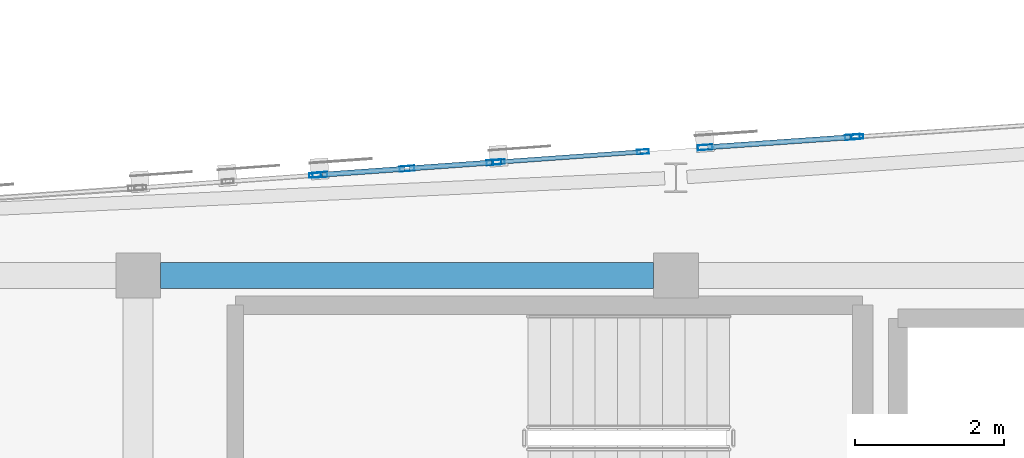
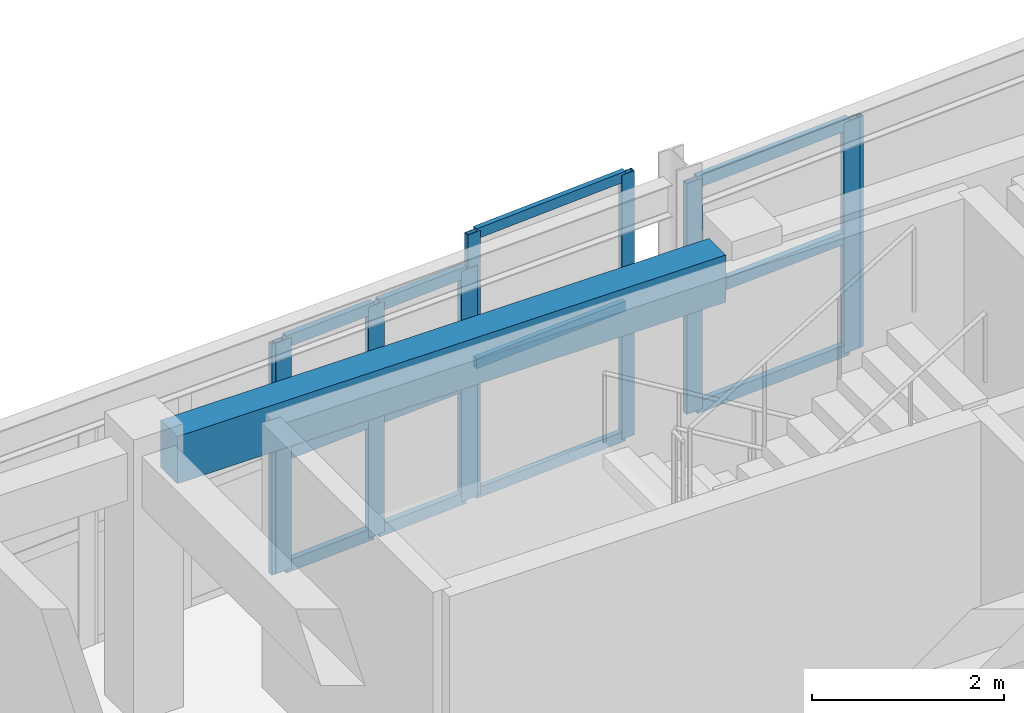
# One storey, part 9 of 51: 21 members, 1 beam, 5 elements without a shape of their own.
"""IFC4 building model written with IfcOpenShell, lengths in metres."""

from ifc_helpers import new_model, si_unit, direction, frame, origin, origin_2d, place, context, subcontext, project, spatial, rectangle, hollow_rectangle, extrude, material, layer, layer_set, material_profile, profile_set, type_object, element, aggregate, save


model = new_model("IFC4")

# Units and contexts
model_context = context("Model", 3, precision=1e-05, world=origin(), true_north=direction((0.0, 1.0)))
body_context = subcontext(model_context, "Body", "Model", "MODEL_VIEW")
ifc_project = project(units=[si_unit("LENGTHUNIT", "METRE"), si_unit("AREAUNIT", "SQUARE_METRE"), si_unit("VOLUMEUNIT", "CUBIC_METRE"), si_unit("PLANEANGLEUNIT", "RADIAN"), si_unit("MASSUNIT", "GRAM", prefix="KILO")], contexts=[model_context])

# Site, building, storey
site_placement = place(None, origin())
site = spatial("IfcSite", under=ifc_project, at=site_placement, CompositionType="ELEMENT")
building_placement = place(site_placement, origin())
building = spatial("IfcBuilding", under=site, at=building_placement, Name="Carrowvane Square Congress Hotel", CompositionType="ELEMENT")
storey_placement = place(building_placement, frame((0.0, 0.0, 30.0)))
storey = spatial("IfcBuildingStorey", under=building, at=storey_placement, Name="L07", CompositionType="ELEMENT", Elevation=30.0)

# Beam
ifc_material_1 = material(Name="Concrete C35/45", Category="concrete")
ifc_material_profile_1 = material_profile(ifc_material_1, rectangle(XDim=0.35009765625, YDim=0.60009765625, at=origin_2d()), Name="RC 350x600")
ifc_profile_set_1 = profile_set([ifc_material_profile_1], Name="Concrete C35/45")
beam_type = type_object("IfcBeamType", Name="BM-RC-350x600", PredefinedType="BEAM", material=ifc_profile_set_1)
beam_placement = place(storey_placement, frame((55.10009765625, 113.39990234375, 3.06005859375), z_axis=(1.0, 0.0, 0.0), x_axis=(0.0, 1.0, 0.0)))
element("IfcBeam", 1, at=beam_placement, inside=storey, type_object=beam_type, Name="L08 girder R/7-8", PredefinedType="BEAM", context=body_context, shape_type="SweptSolid", body=[
    extrude(rectangle(XDim=0.35009765625, YDim=0.60009765625, at=origin_2d()), origin(), (0.0, 0.0, 1.0), 6.599853515625),
])

# Curtain wall, member
ifc_material_2 = material(Name="Anodised aluminium", Category="aluminium")
ifc_layer_1 = layer(ifc_material_2, 0.23388671875)
ifc_layer_set_1 = layer_set([ifc_layer_1], Name="Anodised aluminium")
curtain_wall_type_1 = type_object("IfcCurtainWallType", Name="CW-SYS-7", PredefinedType="NOTDEFINED", material=ifc_layer_set_1)
curtain_wall_1_placement = place(storey_placement, origin())
curtain_wall_1 = element("IfcCurtainWall", 2, at=curtain_wall_1_placement, inside=storey, type_object=curtain_wall_type_1, Name="L07 unitised curtain wall 414", PredefinedType="NOTDEFINED")
ifc_material_3 = material(Name="Anodised aluminium", Category="aluminium")
ifc_material_profile_2 = material_profile(ifc_material_3, hollow_rectangle(XDim=0.06005859375, YDim=0.159912109375, WallThickness=0.00390625, at=origin_2d()), Name="CW-ML 60x160x4")
ifc_profile_set_2 = profile_set([ifc_material_profile_2], Name="Anodised aluminium")
member_type_1 = type_object("IfcMemberType", Name="CW-MUL-1", PredefinedType="MULLION", material=ifc_profile_set_2)
member_1_placement = place(storey_placement, frame((57.169921875, 114.740966796875, 0.0), z_axis=(0.0, 0.0, 1.0), x_axis=(-0.071418356042, 0.997446448898, 0.0)))
member_1 = element("IfcMember", 3, at=member_1_placement, type_object=member_type_1, Name="CW-7 mullion 3", PredefinedType="MULLION", context=body_context, shape_type="SweptSolid", body=[
    extrude(hollow_rectangle(XDim=0.06005859375, YDim=0.159912109375, WallThickness=0.00390625, at=origin_2d()), origin(), (0.0, 0.0, 1.0), 2.935546875),
])
aggregate(curtain_wall_1, [member_1])

# Curtain wall, members
ifc_material_4 = material(Name="Anodised aluminium", Category="aluminium")
ifc_layer_2 = layer(ifc_material_4, 0.162109375)
ifc_layer_set_2 = layer_set([ifc_layer_2], Name="Anodised aluminium")
curtain_wall_type_2 = type_object("IfcCurtainWallType", Name="CW-SYS-1", PredefinedType="NOTDEFINED", material=ifc_layer_set_2)
curtain_wall_2_placement = place(storey_placement, origin())
curtain_wall_2 = element("IfcCurtainWall", 4, at=curtain_wall_2_placement, inside=storey, type_object=curtain_wall_type_2, Name="L07 unitised curtain wall 416", PredefinedType="NOTDEFINED")
member_2_placement = place(storey_placement, frame((59.6298828125, 114.91748046875, 0.0), z_axis=(0.0, 0.0, 1.0), x_axis=(-0.070960217342, 0.997479146426, 0.0)))
member_2 = element("IfcMember", 5, at=member_2_placement, type_object=member_type_1, Name="CW-1 mullion 1", PredefinedType="MULLION", context=body_context, shape_type="SweptSolid", body=[
    extrude(hollow_rectangle(XDim=0.06005859375, YDim=0.159912109375, WallThickness=0.00390625, at=origin_2d()), origin(), (0.0, 0.0, 1.0), 3.360107421875),
])
member_3_placement = place(storey_placement, frame((61.5595703125, 115.0546875, 0.0), z_axis=(0.0, 0.0, 1.0), x_axis=(-0.070960217342, 0.997479146426, 0.0)))
member_3 = element("IfcMember", 6, at=member_3_placement, type_object=member_type_1, Name="CW-1 mullion 2", PredefinedType="MULLION", context=body_context, shape_type="SweptSolid", body=[
    extrude(hollow_rectangle(XDim=0.06005859375, YDim=0.159912109375, WallThickness=0.00390625, at=origin_2d()), origin(), (0.0, 0.0, 1.0), 3.360107421875),
])

# Curtain wall, member
ifc_material_5 = material(Name="Anodised aluminium", Category="aluminium")
ifc_layer_3 = layer(ifc_material_5, 0.18603515625)
ifc_layer_set_3 = layer_set([ifc_layer_3], Name="Anodised aluminium")
curtain_wall_type_3 = type_object("IfcCurtainWallType", Name="CW-SYS-3", PredefinedType="NOTDEFINED", material=ifc_layer_set_3)
curtain_wall_3_placement = place(storey_placement, origin())
curtain_wall_3 = element("IfcCurtainWall", 7, at=curtain_wall_3_placement, inside=storey, type_object=curtain_wall_type_3, Name="L07 unitised curtain wall 418", PredefinedType="NOTDEFINED")
member_4_placement = place(storey_placement, frame((64.429931640625, 115.255859375, 0.0), z_axis=(0.0, 0.0, 1.0), x_axis=(-0.067865424104, 0.997694484404, 0.0)))
member_4 = element("IfcMember", 8, at=member_4_placement, type_object=member_type_1, Name="CW-3 mullion 1", PredefinedType="MULLION", context=body_context, shape_type="SweptSolid", body=[
    extrude(hollow_rectangle(XDim=0.06005859375, YDim=0.159912109375, WallThickness=0.00390625, at=origin_2d()), origin(), (0.0, 0.0, 1.0), 2.935546875),
])
aggregate(curtain_wall_3, [member_4])

# Curtain wall, members
ifc_material_6 = material(Name="Anodised aluminium", Category="aluminium")
ifc_layer_4 = layer(ifc_material_6, 0.24609375)
ifc_layer_set_4 = layer_set([ifc_layer_4], Name="Anodised aluminium")
curtain_wall_type_4 = type_object("IfcCurtainWallType", Name="CW-SYS-8", PredefinedType="NOTDEFINED", material=ifc_layer_set_4)
curtain_wall_4_placement = place(storey_placement, origin())
curtain_wall_4 = element("IfcCurtainWall", 9, at=curtain_wall_4_placement, inside=storey, type_object=curtain_wall_type_4, Name="L07 unitised curtain wall 415", PredefinedType="NOTDEFINED")
ifc_material_7 = material(Name="Anodised aluminium", Category="aluminium")
ifc_material_profile_3 = material_profile(ifc_material_7, hollow_rectangle(XDim=0.070068359375, YDim=0.199951171875, WallThickness=0.0048828125, at=origin_2d()), Name="CW-ML 70x200x5")
ifc_profile_set_3 = profile_set([ifc_material_profile_3], Name="Anodised aluminium")
member_type_2 = type_object("IfcMemberType", Name="CW-MUL-2", PredefinedType="MULLION", material=ifc_profile_set_3)
member_5_placement = place(storey_placement, frame((57.23486328125, 114.74560546875, 0.0), z_axis=(0.0, 0.0, 1.0), x_axis=(-0.071531759512, 0.997438322595, 0.0)))
member_5 = element("IfcMember", 10, at=member_5_placement, type_object=member_type_2, Name="CW-8 mullion 1", PredefinedType="MULLION", context=body_context, shape_type="SweptSolid", body=[
    extrude(hollow_rectangle(XDim=0.070068359375, YDim=0.199951171875, WallThickness=0.0048828125, at=origin_2d()), origin(), (0.0, 0.0, 1.0), 2.935546875),
])
member_6_placement = place(storey_placement, frame((58.39990234375, 114.8291015625, 0.0), z_axis=(0.0, 0.0, 1.0), x_axis=(-0.071531759512, 0.997438322595, 0.0)))
member_6 = element("IfcMember", 11, at=member_6_placement, type_object=member_type_2, Name="CW-8 mullion 2", PredefinedType="MULLION", context=body_context, shape_type="SweptSolid", body=[
    extrude(hollow_rectangle(XDim=0.070068359375, YDim=0.199951171875, WallThickness=0.0048828125, at=origin_2d()), origin(), (0.0, 0.0, 1.0), 2.935546875),
])
member_7_placement = place(storey_placement, frame((59.565185546875, 114.912841796875, 0.0), z_axis=(0.0, 0.0, 1.0), x_axis=(-0.071531759512, 0.997438322595, 0.0)))
member_7 = element("IfcMember", 12, at=member_7_placement, type_object=member_type_2, Name="CW-8 mullion 3", PredefinedType="MULLION", context=body_context, shape_type="SweptSolid", body=[
    extrude(hollow_rectangle(XDim=0.070068359375, YDim=0.199951171875, WallThickness=0.0048828125, at=origin_2d()), origin(), (0.0, 0.0, 1.0), 2.935546875),
])

ifc_material_8 = material(Name="Anodised aluminium", Category="aluminium")
ifc_layer_5 = layer(ifc_material_8, 0.174072265625)
ifc_layer_set_5 = layer_set([ifc_layer_5], Name="Anodised aluminium")
curtain_wall_type_5 = type_object("IfcCurtainWallType", Name="CW-SYS-2", PredefinedType="NOTDEFINED", material=ifc_layer_set_5)
curtain_wall_5_placement = place(storey_placement, origin())
curtain_wall_5 = element("IfcCurtainWall", 13, at=curtain_wall_5_placement, inside=storey, type_object=curtain_wall_type_5, Name="L07 unitised curtain wall 417", PredefinedType="NOTDEFINED")
member_8_placement = place(storey_placement, frame((62.39208984375, 115.11328125, 0.0), z_axis=(0.0, 0.0, 1.0), x_axis=(-0.069723822092, 0.997566332949, 0.0)))
member_8 = element("IfcMember", 14, at=member_8_placement, type_object=member_type_2, Name="CW-2 mullion 1", PredefinedType="MULLION", context=body_context, shape_type="SweptSolid", body=[
    extrude(hollow_rectangle(XDim=0.070068359375, YDim=0.199951171875, WallThickness=0.0048828125, at=origin_2d()), origin(), (0.0, 0.0, 1.0), 2.935546875),
])
member_9_placement = place(storey_placement, frame((64.365234375, 115.251220703125, 0.0), z_axis=(0.0, 0.0, 1.0), x_axis=(-0.069723822092, 0.997566332949, 0.0)))
member_9 = element("IfcMember", 15, at=member_9_placement, type_object=member_type_2, Name="CW-2 mullion 2", PredefinedType="MULLION", context=body_context, shape_type="SweptSolid", body=[
    extrude(hollow_rectangle(XDim=0.070068359375, YDim=0.199951171875, WallThickness=0.0048828125, at=origin_2d()), origin(), (0.0, 0.0, 1.0), 2.935546875),
])

# Member
ifc_material_9 = material(Name="Anodised aluminium", Category="aluminium")
ifc_material_profile_4 = material_profile(ifc_material_9, hollow_rectangle(XDim=0.06005859375, YDim=0.1298828125, WallThickness=0.00390625, at=origin_2d()), Name="CW-TR 60x130x4")
ifc_profile_set_4 = profile_set([ifc_material_profile_4], Name="Anodised aluminium")
member_type_3 = type_object("IfcMemberType", Name="CW-TRN-1", PredefinedType="USERDEFINED", material=ifc_profile_set_4)
member_10_placement = place(storey_placement, frame((59.659912109375, 114.91943359375, 0.030029296875), z_axis=(0.997477179268, 0.070987864025, 0.0), x_axis=(-0.070987864025, 0.997477179268, 0.0)))
member_10 = element("IfcMember", 16, at=member_10_placement, type_object=member_type_3, Name="CW-1 transom 1.1", ObjectType="TRANSOM", PredefinedType="USERDEFINED", context=body_context, shape_type="SweptSolid", body=[
    extrude(hollow_rectangle(XDim=0.06005859375, YDim=0.1298828125, WallThickness=0.00390625, at=origin_2d()), origin(), (0.0, 0.0, 1.0), 1.874267578125),
])

member_11_placement = place(storey_placement, frame((59.659912109375, 114.91943359375, 1.679931640625), z_axis=(0.997477179268, 0.070987864025, 0.0), x_axis=(-0.070987864025, 0.997477179268, 0.0)))
member_11 = element("IfcMember", 17, at=member_11_placement, type_object=member_type_3, Name="CW-1 transom 1.2", ObjectType="TRANSOM", PredefinedType="USERDEFINED", context=body_context, shape_type="SweptSolid", body=[
    extrude(hollow_rectangle(XDim=0.06005859375, YDim=0.1298828125, WallThickness=0.00390625, at=origin_2d()), origin(), (0.0, 0.0, 1.0), 1.874267578125),
])

member_12_placement = place(storey_placement, frame((59.659912109375, 114.91943359375, 3.330078125), z_axis=(0.997477179268, 0.070987864025, 0.0), x_axis=(-0.070987864025, 0.997477179268, 0.0)))
member_12 = element("IfcMember", 18, at=member_12_placement, type_object=member_type_3, Name="CW-1 transom 1.3", ObjectType="TRANSOM", PredefinedType="USERDEFINED", context=body_context, shape_type="SweptSolid", body=[
    extrude(hollow_rectangle(XDim=0.06005859375, YDim=0.1298828125, WallThickness=0.00390625, at=origin_2d()), origin(), (0.0, 0.0, 1.0), 1.874267578125),
])

aggregate(curtain_wall_2, [member_2, member_3, member_10, member_11, member_12])

ifc_material_10 = material(Name="Anodised aluminium", Category="aluminium")
ifc_material_profile_5 = material_profile(ifc_material_10, hollow_rectangle(XDim=0.070068359375, YDim=0.14990234375, WallThickness=0.0048828125, at=origin_2d()), Name="CW-TR 70x150x5")
ifc_profile_set_5 = profile_set([ifc_material_profile_5], Name="Anodised aluminium")
member_type_4 = type_object("IfcMemberType", Name="CW-TRN-2", PredefinedType="USERDEFINED", material=ifc_profile_set_5)
member_13_placement = place(storey_placement, frame((57.269775390625, 114.748046875, 0.034912109375), z_axis=(0.997433808996, 0.071594669304, 0.0), x_axis=(-0.071594669304, 0.997433808996, 0.0)))
member_13 = element("IfcMember", 19, at=member_13_placement, type_object=member_type_4, Name="CW-8 transom 1.1", ObjectType="TRANSOM", PredefinedType="USERDEFINED", context=body_context, shape_type="SweptSolid", body=[
    extrude(hollow_rectangle(XDim=0.070068359375, YDim=0.14990234375, WallThickness=0.0048828125, at=origin_2d()), origin(), (0.0, 0.0, 1.0), 1.09814453125),
])

member_14_placement = place(storey_placement, frame((57.269775390625, 114.748046875, 1.4677734375), z_axis=(0.997433808996, 0.071594669304, 0.0), x_axis=(-0.071594669304, 0.997433808996, 0.0)))
member_14 = element("IfcMember", 20, at=member_14_placement, type_object=member_type_4, Name="CW-8 transom 1.2", ObjectType="TRANSOM", PredefinedType="USERDEFINED", context=body_context, shape_type="SweptSolid", body=[
    extrude(hollow_rectangle(XDim=0.070068359375, YDim=0.14990234375, WallThickness=0.0048828125, at=origin_2d()), origin(), (0.0, 0.0, 1.0), 1.09814453125),
])

member_15_placement = place(storey_placement, frame((57.269775390625, 114.748046875, 2.900634765625), z_axis=(0.997433808996, 0.071594669304, 0.0), x_axis=(-0.071594669304, 0.997433808996, 0.0)))
member_15 = element("IfcMember", 21, at=member_15_placement, type_object=member_type_4, Name="CW-8 transom 1.3", ObjectType="TRANSOM", PredefinedType="USERDEFINED", context=body_context, shape_type="SweptSolid", body=[
    extrude(hollow_rectangle(XDim=0.070068359375, YDim=0.14990234375, WallThickness=0.0048828125, at=origin_2d()), origin(), (0.0, 0.0, 1.0), 1.09814453125),
])

member_16_placement = place(storey_placement, frame((58.434814453125, 114.831787109375, 0.034912109375), z_axis=(0.99745079479, 0.071357634305, 0.0), x_axis=(-0.071357634305, 0.99745079479, 0.0)))
member_16 = element("IfcMember", 22, at=member_16_placement, type_object=member_type_4, Name="CW-8 transom 2.1", ObjectType="TRANSOM", PredefinedType="USERDEFINED", context=body_context, shape_type="SweptSolid", body=[
    extrude(hollow_rectangle(XDim=0.070068359375, YDim=0.14990234375, WallThickness=0.0048828125, at=origin_2d()), origin(), (0.0, 0.0, 1.0), 1.09814453125),
])

member_17_placement = place(storey_placement, frame((58.434814453125, 114.831787109375, 1.4677734375), z_axis=(0.99745079479, 0.071357634305, 0.0), x_axis=(-0.071357634305, 0.99745079479, 0.0)))
member_17 = element("IfcMember", 23, at=member_17_placement, type_object=member_type_4, Name="CW-8 transom 2.2", ObjectType="TRANSOM", PredefinedType="USERDEFINED", context=body_context, shape_type="SweptSolid", body=[
    extrude(hollow_rectangle(XDim=0.070068359375, YDim=0.14990234375, WallThickness=0.0048828125, at=origin_2d()), origin(), (0.0, 0.0, 1.0), 1.09814453125),
])

member_18_placement = place(storey_placement, frame((58.434814453125, 114.831787109375, 2.900634765625), z_axis=(0.99745079479, 0.071357634305, 0.0), x_axis=(-0.071357634305, 0.99745079479, 0.0)))
member_18 = element("IfcMember", 24, at=member_18_placement, type_object=member_type_4, Name="CW-8 transom 2.3", ObjectType="TRANSOM", PredefinedType="USERDEFINED", context=body_context, shape_type="SweptSolid", body=[
    extrude(hollow_rectangle(XDim=0.070068359375, YDim=0.14990234375, WallThickness=0.0048828125, at=origin_2d()), origin(), (0.0, 0.0, 1.0), 1.09814453125),
])

aggregate(curtain_wall_4, [member_5, member_6, member_7, member_13, member_14, member_15, member_16, member_17, member_18])

member_19_placement = place(storey_placement, frame((62.427001953125, 115.11572265625, 0.034912109375), z_axis=(0.997565380596, 0.069737446437, 0.0), x_axis=(-0.069737446437, 0.997565380596, 0.0)))
member_19 = element("IfcMember", 25, at=member_19_placement, type_object=member_type_4, Name="CW-2 transom 1.1", ObjectType="TRANSOM", PredefinedType="USERDEFINED", context=body_context, shape_type="SweptSolid", body=[
    extrude(hollow_rectangle(XDim=0.070068359375, YDim=0.14990234375, WallThickness=0.0048828125, at=origin_2d()), origin(), (0.0, 0.0, 1.0), 1.907958984375),
])

member_20_placement = place(storey_placement, frame((62.427001953125, 115.11572265625, 1.4677734375), z_axis=(0.997565380596, 0.069737446437, 0.0), x_axis=(-0.069737446437, 0.997565380596, 0.0)))
member_20 = element("IfcMember", 26, at=member_20_placement, type_object=member_type_4, Name="CW-2 transom 1.2", ObjectType="TRANSOM", PredefinedType="USERDEFINED", context=body_context, shape_type="SweptSolid", body=[
    extrude(hollow_rectangle(XDim=0.070068359375, YDim=0.14990234375, WallThickness=0.0048828125, at=origin_2d()), origin(), (0.0, 0.0, 1.0), 1.907958984375),
])

member_21_placement = place(storey_placement, frame((62.427001953125, 115.11572265625, 2.900634765625), z_axis=(0.997565380596, 0.069737446437, 0.0), x_axis=(-0.069737446437, 0.997565380596, 0.0)))
member_21 = element("IfcMember", 27, at=member_21_placement, type_object=member_type_4, Name="CW-2 transom 1.3", ObjectType="TRANSOM", PredefinedType="USERDEFINED", context=body_context, shape_type="SweptSolid", body=[
    extrude(hollow_rectangle(XDim=0.070068359375, YDim=0.14990234375, WallThickness=0.0048828125, at=origin_2d()), origin(), (0.0, 0.0, 1.0), 1.907958984375),
])

aggregate(curtain_wall_5, [member_8, member_9, member_19, member_20, member_21])

save(model, "model.ifc")
